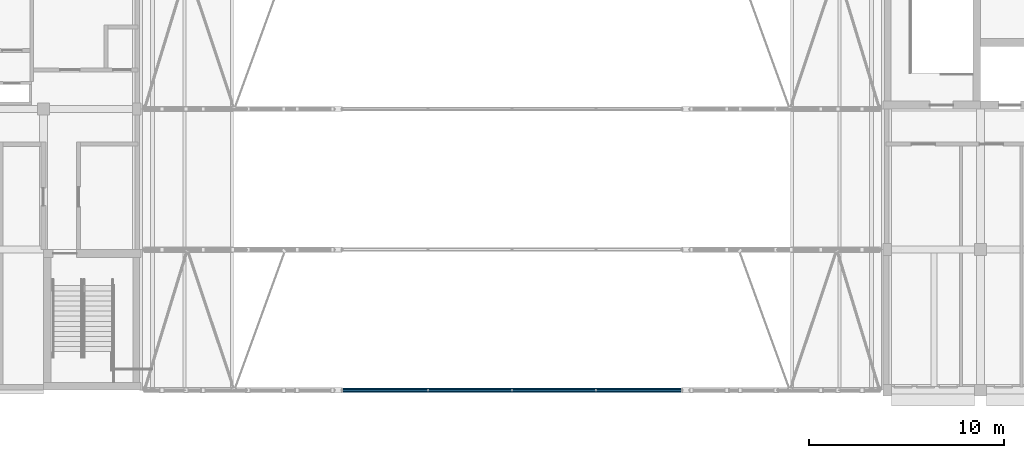
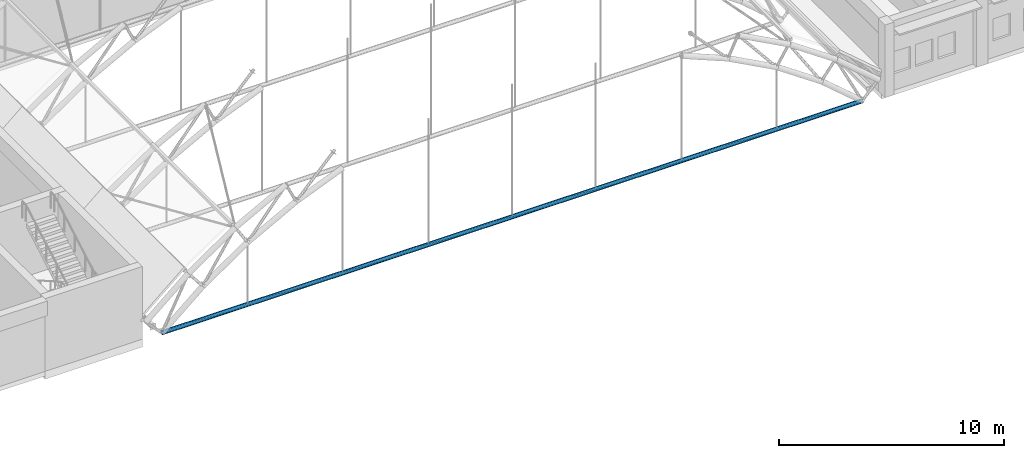
# One storey, part 11 of 101: 1 member.
"""IFC4 building model written with IfcOpenShell, lengths in metres."""

from ifc_helpers import new_model, si_unit, direction, frame, origin, origin_2d, place, context, subcontext, project, spatial, hollow_circle, extrude, material, material_profile, profile_set, type_object, element, save


model = new_model("IFC4")

# Units and contexts
model_context = context("Model", 3, precision=1e-05, world=origin(), true_north=direction((0.0, 1.0)))
body_context = subcontext(model_context, "Body", "Model", "MODEL_VIEW")
ifc_project = project(units=[si_unit("LENGTHUNIT", "METRE"), si_unit("AREAUNIT", "SQUARE_METRE"), si_unit("VOLUMEUNIT", "CUBIC_METRE"), si_unit("PLANEANGLEUNIT", "RADIAN"), si_unit("MASSUNIT", "GRAM", prefix="KILO")], contexts=[model_context])

# Site, building, storey
site_placement = place(None, origin())
site = spatial("IfcSite", under=ifc_project, at=site_placement, CompositionType="ELEMENT")
building_placement = place(site_placement, origin())
building = spatial("IfcBuilding", under=site, at=building_placement, Name="Laocheng Heights Fire and Rescue Headquarters", CompositionType="ELEMENT")
storey_placement = place(building_placement, frame((0.0, 0.0, 8.39990234375)))
storey = spatial("IfcBuildingStorey", under=building, at=storey_placement, Name="L02", CompositionType="ELEMENT", Elevation=8.39990234375)

# Member
ifc_material = material(Name="Steel Q355B", Category="steel")
ifc_material_profile = material_profile(ifc_material, hollow_circle(Radius=0.109619140625, WallThickness=0.010009765625, at=origin_2d()), Name="CHS 219x10")
ifc_profile_set = profile_set([ifc_material_profile], Name="Steel Q355B")
member_type = type_object("IfcMemberType", Name="BAY ROOF TIE CHS 219x10", PredefinedType="CHORD", material=ifc_profile_set)
member_placement = place(storey_placement, frame((18.0, 0.0, 0.0), z_axis=(1.0, 0.0, 0.0), x_axis=(0.0, 1.0, 0.0)))
element("IfcMember", 1, at=member_placement, inside=storey, type_object=member_type, Name="Truss TR1 tie", PredefinedType="CHORD", context=body_context, shape_type="SweptSolid", body=[
    extrude(hollow_circle(Radius=0.109619140625, WallThickness=0.010009765625, at=origin_2d()), origin(), (0.0, 0.0, 1.0), 36.0),
])

save(model, "model.ifc")
